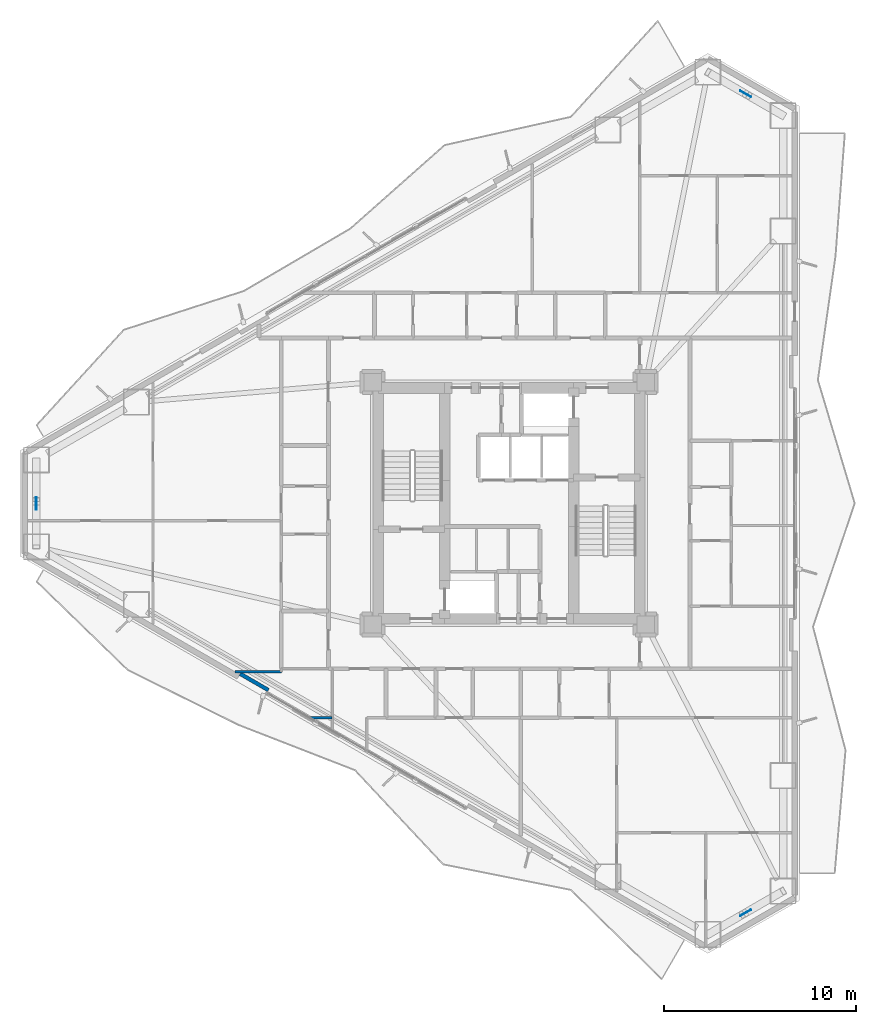
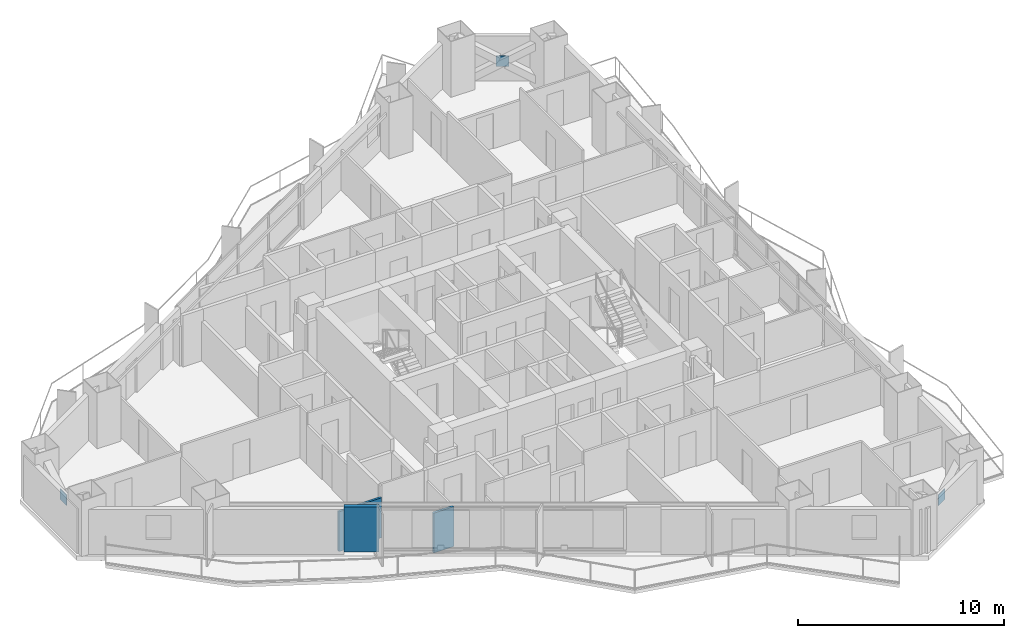
# One storey, part 11 of 19: 3 plates, 3 walls.
"""IFC4 building model written with IfcOpenShell, lengths in metres."""

from ifc_helpers import new_model, si_unit, direction, frame, frame_2d, origin, origin_2d, place, context, subcontext, project, spatial, rectangle, extrude, material, layer, layer_set, type_object, element, save


model = new_model("IFC4")

# Units and contexts
model_context = context("Model", 3, precision=1e-05, world=origin(), true_north=direction((0.0, 1.0)))
body_context = subcontext(model_context, "Body", "Model", "MODEL_VIEW")
ifc_project = project(units=[si_unit("LENGTHUNIT", "METRE"), si_unit("AREAUNIT", "SQUARE_METRE"), si_unit("VOLUMEUNIT", "CUBIC_METRE"), si_unit("PLANEANGLEUNIT", "RADIAN"), si_unit("MASSUNIT", "GRAM", prefix="KILO")], contexts=[model_context])

# Site, building, storey
site_placement = place(None, origin())
site = spatial("IfcSite", under=ifc_project, at=site_placement, CompositionType="ELEMENT")
building_placement = place(site_placement, origin())
building = spatial("IfcBuilding", under=site, at=building_placement, Name="Mersakhor Tower and Convention Hall", CompositionType="ELEMENT")
storey_placement = place(building_placement, frame((0.0, 0.0, 25.800048828125)))
storey = spatial("IfcBuildingStorey", under=building, at=storey_placement, Name="L06", CompositionType="ELEMENT", Elevation=25.800048828125)

# Plates
ifc_material_1 = material(Name="Steel S460", Category="steel")
ifc_layer_1 = layer(ifc_material_1, 0.0400390625)
ifc_layer_set_1 = layer_set([ifc_layer_1], Name="Steel S460")
plate_type = type_object("IfcPlateType", Name="PL-GUSSET-40", PredefinedType="SHEET", material=ifc_layer_set_1)
for number, where, z_axis, x_axis, name in (
    (1, (41.29345703125, 48.04296875, 1.2001953125), (0.0, 0.0, 1.0), (-0.866025403784, 0.5, 0.0), "L06 X-Brace Crossing Gusset Node Plate"),
    (2, (41.29345703125, 5.45703125, 1.2001953125), (0.0, 0.0, 1.0), (0.866025403784, 0.5, 0.0), "L06 X-Brace Crossing Gusset Node Plate"),
    (3, (4.4130859375, 26.75, 1.2001953125), (0.0, 0.0, 1.0), (0.0, -1.0, 0.0), "L06 X-Brace Crossing Gusset Node Plate"),
):
    element("IfcPlate", number, at=place(storey_placement, frame(where, z_axis=z_axis, x_axis=x_axis)), inside=storey, type_object=plate_type, Name=name, PredefinedType="SHEET", context=body_context, shape_type="SweptSolid", body=[
        extrude(rectangle(XDim=0.639892578125, YDim=0.0400390625, at=origin_2d()), origin(), (0.0, 0.0, 1.0), 0.639892578125),
    ])

# Walls
ifc_material_2 = material(Name="Precast concrete C40/50", Category="concrete")
ifc_layer_2 = layer(ifc_material_2, 0.199951171875)
ifc_layer_set_2 = layer_set([ifc_layer_2], Name="Precast concrete C40/50")
wall_type_1 = type_object("IfcWallType", Name="WL-PAR-200", PredefinedType="PARAPET", material=ifc_layer_set_2)
wall_1_placement = place(storey_placement, frame((16.48046875, 17.038818359375, 0.0), z_axis=(0.0, 0.0, 1.0), x_axis=(-0.86605165483, 0.499954529098, 0.0)))
element("IfcWall", 4, at=wall_1_placement, inside=storey, type_object=wall_type_1, Name="L06 Column Pier Cladding Wall F3-C2", PredefinedType="PARAPET", context=body_context, shape_type="SweptSolid", body=[
    extrude(rectangle(XDim=1.699951171875, YDim=0.199951171875, at=frame_2d((0.85009765625, 0.0))), origin(), (0.0, 0.0, 1.0), 2.659912109375),
])
ifc_material_3 = material(Name="Gypsum board acoustic partition", Category="other")
ifc_layer_3 = layer(ifc_material_3, 0.125)
ifc_layer_set_3 = layer_set([ifc_layer_3], Name="Gypsum board acoustic partition")
wall_type_2 = type_object("IfcWallType", Name="WL-PRT-125", PredefinedType="PARTITIONING", material=ifc_layer_set_3)
wall_2_placement = place(storey_placement, frame((18.677734375, 15.60009765625, 0.0), z_axis=(0.0, 0.0, 1.0), x_axis=(1.0, 0.0, 0.0)))
element("IfcWall", 5, at=wall_2_placement, inside=storey, type_object=wall_type_2, Name="L06 Interior Partition Wall P-129", PredefinedType="PARTITIONING", context=body_context, shape_type="SweptSolid", body=[
    extrude(rectangle(XDim=1.122314453125, YDim=0.125, at=frame_2d((0.56103515625, 0.0))), origin(), (0.0, 0.0, 1.0), 2.364990234375),
])
wall_3_placement = place(storey_placement, frame((17.14990234375, 18.0, 0.0), z_axis=(0.0, 0.0, 1.0), x_axis=(-1.0, 0.0, 0.0)))
element("IfcWall", 6, at=wall_3_placement, inside=storey, type_object=wall_type_2, Name="L06 Interior Partition Wall P-145", PredefinedType="PARTITIONING", context=body_context, shape_type="SweptSolid", body=[
    extrude(rectangle(XDim=2.40087890625, YDim=0.125, at=frame_2d((1.200439453125, 0.0))), origin(), (0.0, 0.0, 1.0), 2.364990234375),
])

save(model, "model.ifc")
